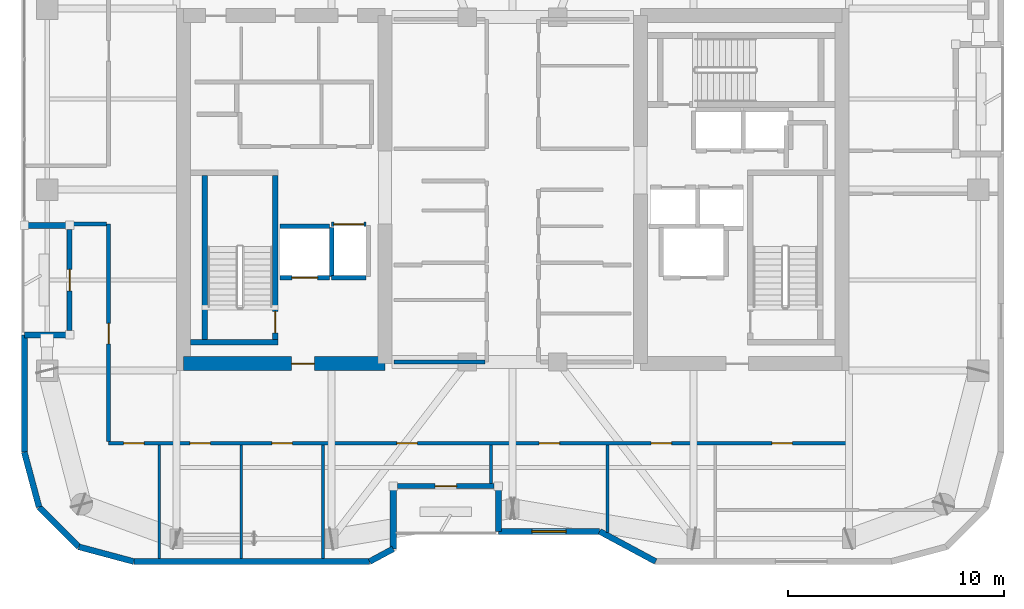
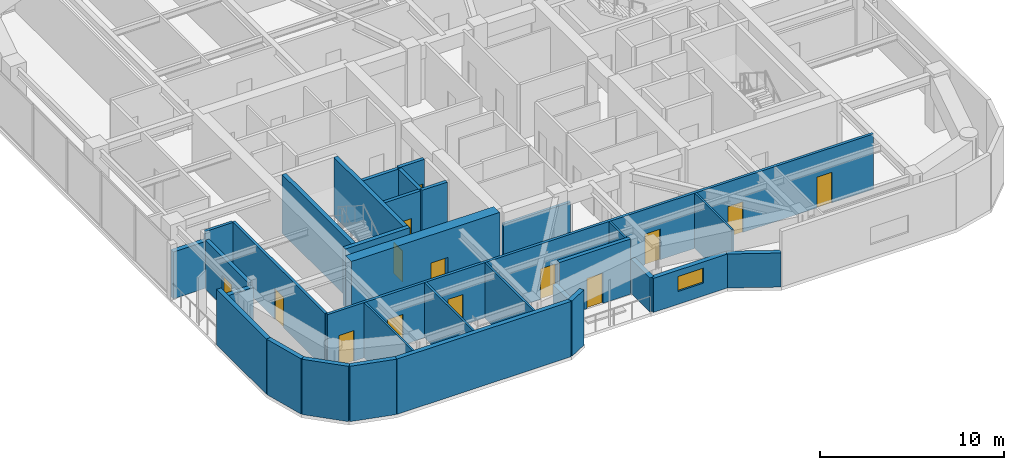
# One storey, part 15 of 22: 32 walls, 14 doors, 1 window, 15 openings.
"""IFC4 building model written with IfcOpenShell, lengths in metres."""

from ifc_helpers import new_model, si_unit, direction, frame, frame_2d, origin, place, context, subcontext, project, spatial, rectangle, extrude, material, layer, layer_set, type_object, element, fill, save


model = new_model("IFC4")

# Units and contexts
model_context = context("Model", 3, precision=1e-05, world=origin(), true_north=direction((0.0, 1.0)))
body_context = subcontext(model_context, "Body", "Model", "MODEL_VIEW")
ifc_project = project(units=[si_unit("LENGTHUNIT", "METRE"), si_unit("AREAUNIT", "SQUARE_METRE"), si_unit("VOLUMEUNIT", "CUBIC_METRE"), si_unit("PLANEANGLEUNIT", "RADIAN"), si_unit("MASSUNIT", "GRAM", prefix="KILO")], contexts=[model_context])

# Site, building, storey
site_placement = place(None, origin())
site = spatial("IfcSite", under=ifc_project, at=site_placement, CompositionType="ELEMENT")
building_placement = place(site_placement, origin())
building = spatial("IfcBuilding", under=site, at=building_placement, Name="Kiyonajd Concourse Tower", CompositionType="ELEMENT")
storey_placement = place(building_placement, frame((0.0, 0.0, 243.300048828125)))
storey = spatial("IfcBuildingStorey", under=building, at=storey_placement, Name="L61", CompositionType="ELEMENT", Elevation=243.300048828125)

# Wall, opening, door
ifc_material_1 = material(Name="Concrete C60/75", Category="concrete")
ifc_layer_1 = layer(ifc_material_1, 0.64990234375)
ifc_layer_set_1 = layer_set([ifc_layer_1], Name="Concrete C60/75")
wall_type_1 = type_object("IfcWallType", Name="WL-CORE-650", PredefinedType="SHEAR", material=ifc_layer_set_1)
wall_1_placement = place(storey_placement, frame((32.72509765625, 27.925048828125, 0.0), z_axis=(0.0, 0.0, 1.0), x_axis=(1.0, 0.0, 0.0)))
wall_1 = element("IfcWall", 1, at=wall_1_placement, inside=storey, type_object=wall_type_1, Name="L61 West Core South Shear Wall", PredefinedType="SHEAR", context=body_context, shape_type="SweptSolid", body=[
    extrude(rectangle(XDim=9.349853515625, YDim=0.64990234375, at=frame_2d((4.6748046875, 0.0))), origin(), (0.0, 0.0, 1.0), 3.89990234375),
])
opening_1_placement = place(wall_1_placement, frame((5.02490234375, 0.0, 0.0)))
opening_1 = element("IfcOpeningElement", 2, at=opening_1_placement, cuts=wall_1, Name="Opening DF5", PredefinedType="OPENING", context=body_context, shape_type="SweptSolid", body=[
    extrude(rectangle(XDim=1.050048828125, YDim=2.0400390625, at=frame_2d((0.52490234375, 1.02001953125))), frame((0.0, 0.3349609375, 0.0), z_axis=(0.0, -1.0, 0.0), x_axis=(1.0, 0.0, 0.0)), (0.0, 0.0, 1.0), 0.669921875),
])
ifc_material_2 = material(Name="Brushed Stainless Steel Cab Assembly", Category="steel")
door_type_1 = type_object("IfcDoorType", Name="DR-FD45-1050", OperationType="NOTDEFINED", PredefinedType="DOOR", material=ifc_material_2)
door_1_placement = place(opening_1_placement, origin())
door_1 = element("IfcDoor", 3, at=door_1_placement, inside=storey, type_object=door_type_1, Name="L61 Firefighting Lift Lobby W Smoke Door", OperationType="SINGLE_SWING_LEFT", OverallHeight=2.0400390625, OverallWidth=1.050048828125, PredefinedType="DOOR", context=body_context, shape_type="SweptSolid", body=[
    extrude(rectangle(XDim=1.050048828125, YDim=2.0400390625, at=frame_2d((0.52490234375, 1.02001953125))), frame((0.0, 0.02490234375, 0.0), z_axis=(0.0, -1.0, 0.0), x_axis=(1.0, 0.0, 0.0)), (0.0, 0.0, 1.0), 0.050048828125),
])
fill(opening_1, door_1)

# Walls
ifc_material_3 = material(Name="Precast concrete C50/60", Category="concrete")
ifc_layer_2 = layer(ifc_material_3, 0.280029296875)
ifc_layer_set_2 = layer_set([ifc_layer_2], Name="Precast concrete C50/60")
wall_type_2 = type_object("IfcWallType", Name="WL-EXT-280", PredefinedType="SOLIDWALL", material=ifc_layer_set_2)
wall_2_placement = place(storey_placement, frame((26.0224609375, 21.2724609375, 0.0), z_axis=(0.0, 0.0, 1.0), x_axis=(-0.2588904131, 0.965906700466, 0.0)))
element("IfcWall", 4, at=wall_2_placement, inside=storey, type_object=wall_type_2, Name="L61 Exterior Concrete Frame Wall 00", PredefinedType="SOLIDWALL", context=body_context, shape_type="SweptSolid", body=[
    extrude(rectangle(XDim=2.6357421875, YDim=0.280029296875, at=frame_2d((1.31787109375, 0.0))), origin(), (0.0, 0.0, 1.0), 3.679931640625),
])
wall_3_placement = place(storey_placement, frame((25.340087890625, 23.818359375, 0.0), z_axis=(0.0, 0.0, 1.0), x_axis=(0.0, 1.0, 0.0)))
element("IfcWall", 5, at=wall_3_placement, inside=storey, type_object=wall_type_2, Name="L61 Exterior Concrete Frame Wall 01", PredefinedType="SOLIDWALL", context=body_context, shape_type="SweptSolid", body=[
    extrude(rectangle(XDim=5.441650390625, YDim=0.280029296875, at=frame_2d((2.720703125, 0.0))), origin(), (0.0, 0.0, 1.0), 3.679931640625),
])
for number, where, z_axis, x_axis, name in (
    (6, (25.340087890625, 29.260009765625, 0.0), (0.0, 0.0, 1.0), (1.0, 0.0, 0.0), "L61 Exterior Concrete Frame Wall 02"),
    (7, (27.43994140625, 34.340087890625, 0.0), (0.0, 0.0, 1.0), (-1.0, 0.0, 0.0), "L61 Exterior Concrete Frame Wall 04"),
):
    element("IfcWall", number, at=place(storey_placement, frame(where, z_axis=z_axis, x_axis=x_axis)), inside=storey, type_object=wall_type_2, Name=name, PredefinedType="SOLIDWALL", context=body_context, shape_type="SweptSolid", body=[
        extrude(rectangle(XDim=2.099853515625, YDim=0.280029296875, at=frame_2d((1.0498046875, 0.0))), origin(), (0.0, 0.0, 1.0), 3.115966796875),
    ])
wall_4_placement = place(storey_placement, frame((54.63525390625, 18.739990234375, 0.0), z_axis=(0.0, 0.0, 1.0), x_axis=(-0.880473754814, 0.474094892488, 0.0)))
element("IfcWall", 8, at=wall_4_placement, inside=storey, type_object=wall_type_2, Name="L61 Exterior Concrete Frame Wall 30", PredefinedType="SOLIDWALL", context=body_context, shape_type="SweptSolid", body=[
    extrude(rectangle(XDim=2.952880859375, YDim=0.280029296875, at=frame_2d((1.4765625, 0.0))), origin(), (0.0, 0.0, 1.0), 2.264892578125),
])

# Wall, opening, window
wall_5_placement = place(storey_placement, frame((52.035400390625, 20.139892578125, 0.0), z_axis=(0.0, 0.0, 1.0), x_axis=(-1.0, 0.0, 0.0)))
wall_5 = element("IfcWall", 9, at=wall_5_placement, inside=storey, type_object=wall_type_2, Name="L61 Exterior Concrete Frame Wall 31", PredefinedType="SOLIDWALL", context=body_context, shape_type="SweptSolid", body=[
    extrude(rectangle(XDim=4.6953125, YDim=0.280029296875, at=frame_2d((2.34765625, 0.0))), origin(), (0.0, 0.0, 1.0), 2.264892578125),
])
opening_2_placement = place(wall_5_placement, frame((1.548095703125, 0.0, 0.85009765625)))
opening_2 = element("IfcOpeningElement", 10, at=opening_2_placement, cuts=wall_5, Name="Opening WN6", PredefinedType="OPENING", context=body_context, shape_type="SweptSolid", body=[
    extrude(rectangle(XDim=1.60009765625, YDim=1.0, at=frame_2d((0.800048828125, 0.5))), frame((0.0, 0.14990234375, 0.0), z_axis=(0.0, -1.0, 0.0), x_axis=(1.0, 0.0, 0.0)), (0.0, 0.0, 1.0), 0.300048828125),
])
ifc_material_4 = material(Name="Double Low-E Insulated Glass", Category="glass")
window_type = type_object("IfcWindowType", Name="WN-VIS-1600x1000", PartitioningType="SINGLE_PANEL", PredefinedType="WINDOW", material=ifc_material_4)
window_placement = place(opening_2_placement, origin())
window = element("IfcWindow", 11, at=window_placement, inside=storey, type_object=window_type, Name="L61 Modular Facade Vision Window 31", OverallHeight=1.0, OverallWidth=1.60009765625, PartitioningType="SINGLE_PANEL", PredefinedType="WINDOW", context=body_context, shape_type="SweptSolid", body=[
    extrude(rectangle(XDim=1.60009765625, YDim=1.0, at=frame_2d((0.800048828125, 0.5))), frame((0.0, 0.030029296875, 0.0), z_axis=(0.0, -1.0, 0.0), x_axis=(1.0, 0.0, 0.0)), (0.0, 0.0, 1.0), 0.06005859375),
])
fill(opening_2, window)

# Walls
wall_6_placement = place(storey_placement, frame((47.340087890625, 20.139892578125, 0.0), z_axis=(0.0, 0.0, 1.0), x_axis=(0.0, 1.0, 0.0)))
element("IfcWall", 12, at=wall_6_placement, inside=storey, type_object=wall_type_2, Name="L61 Exterior Concrete Frame Wall 32", PredefinedType="SOLIDWALL", context=body_context, shape_type="SweptSolid", body=[
    extrude(rectangle(XDim=2.10009765625, YDim=0.280029296875, at=frame_2d((1.050048828125, 0.0))), origin(), (0.0, 0.0, 1.0), 2.264892578125),
])
wall_7_placement = place(storey_placement, frame((42.4599609375, 22.239990234375, 0.0), z_axis=(0.0, 0.0, 1.0), x_axis=(0.0, -1.0, 0.0)))
element("IfcWall", 13, at=wall_7_placement, inside=storey, type_object=wall_type_2, Name="L61 Exterior Concrete Frame Wall 34", PredefinedType="SOLIDWALL", context=body_context, shape_type="SweptSolid", body=[
    extrude(rectangle(XDim=2.910400390625, YDim=0.280029296875, at=frame_2d((1.455078125, 0.0))), origin(), (0.0, 0.0, 1.0), 2.264892578125),
])
wall_8_placement = place(storey_placement, frame((42.4599609375, 19.32958984375, 0.0), z_axis=(0.0, 0.0, 1.0), x_axis=(-0.880515214249, -0.474017887296, 0.0)))
element("IfcWall", 14, at=wall_8_placement, inside=storey, type_object=wall_type_2, Name="L61 Exterior Concrete Frame Wall 35", PredefinedType="SOLIDWALL", context=body_context, shape_type="SweptSolid", body=[
    extrude(rectangle(XDim=1.243896484375, YDim=0.280029296875, at=frame_2d((0.6220703125, 0.0))), origin(), (0.0, 0.0, 1.0), 3.679931640625),
])
wall_9_placement = place(storey_placement, frame((41.36474609375, 18.739990234375, 0.0), z_axis=(0.0, 0.0, 1.0), x_axis=(-1.0, 0.0, 0.0)))
element("IfcWall", 15, at=wall_9_placement, inside=storey, type_object=wall_type_2, Name="L61 Exterior Concrete Frame Wall 36", PredefinedType="SOLIDWALL", context=body_context, shape_type="SweptSolid", body=[
    extrude(rectangle(XDim=10.9462890625, YDim=0.280029296875, at=frame_2d((5.47314453125, 0.0))), origin(), (0.0, 0.0, 1.0), 3.679931640625),
])
wall_10_placement = place(storey_placement, frame((30.41845703125, 18.739990234375, 0.0), z_axis=(0.0, 0.0, 1.0), x_axis=(-0.965883534663, 0.258976828051, 0.0)))
element("IfcWall", 16, at=wall_10_placement, inside=storey, type_object=wall_type_2, Name="L61 Exterior Concrete Frame Wall 37", PredefinedType="SOLIDWALL", context=body_context, shape_type="SweptSolid", body=[
    extrude(rectangle(XDim=2.6357421875, YDim=0.280029296875, at=frame_2d((1.31787109375, 0.0))), origin(), (0.0, 0.0, 1.0), 3.679931640625),
])
wall_11_placement = place(storey_placement, frame((27.87255859375, 19.422607421875, 0.0), z_axis=(0.0, 0.0, 1.0), x_axis=(-0.707153437963, 0.707060121331, 0.0)))
element("IfcWall", 17, at=wall_11_placement, inside=storey, type_object=wall_type_2, Name="L61 Exterior Concrete Frame Wall 38", PredefinedType="SOLIDWALL", context=body_context, shape_type="SweptSolid", body=[
    extrude(rectangle(XDim=2.6162109375, YDim=0.280029296875, at=frame_2d((1.30810546875, 0.0))), origin(), (0.0, 0.0, 1.0), 3.679931640625),
])

# Wall, opening, door
ifc_layer_3 = layer(ifc_material_3, 0.239990234375)
ifc_layer_set_3 = layer_set([ifc_layer_3], Name="Precast concrete C50/60")
wall_type_3 = type_object("IfcWallType", Name="WL-LOG-240", PredefinedType="SOLIDWALL", material=ifc_layer_set_3)
wall_12_placement = place(storey_placement, frame((27.43994140625, 29.455078125, 0.0), z_axis=(0.0, 0.0, 1.0), x_axis=(0.0, 1.0, 0.0)))
wall_12 = element("IfcWall", 18, at=wall_12_placement, inside=storey, type_object=wall_type_3, Name="L61 Recessed Loggia Thermal Wall LOG-W", PredefinedType="SOLIDWALL", context=body_context, shape_type="SweptSolid", body=[
    extrude(rectangle(XDim=4.68994140625, YDim=0.239990234375, at=frame_2d((2.344970703125, 0.0))), origin(), (0.0, 0.0, 1.0), 3.248046875),
])
opening_3_placement = place(wall_12_placement, frame((1.844970703125, 0.0, 0.0)))
opening_3 = element("IfcOpeningElement", 19, at=opening_3_placement, cuts=wall_12, Name="Opening DL1", PredefinedType="OPENING", context=body_context, shape_type="SweptSolid", body=[
    extrude(rectangle(XDim=1.0, YDim=2.02001953125, at=frame_2d((0.5, 1.010009765625))), frame((0.0, 0.1298828125, 0.0), z_axis=(0.0, -1.0, 0.0), x_axis=(1.0, 0.0, 0.0)), (0.0, 0.0, 1.0), 0.260009765625),
])
ifc_material_5 = material(Name="Thermally Broken Anodised Aluminium", Category="aluminium")
door_type_2 = type_object("IfcDoorType", Name="DR-LOG-1000", OperationType="NOTDEFINED", PredefinedType="DOOR", material=ifc_material_5)
door_2_placement = place(opening_3_placement, origin())
door_2 = element("IfcDoor", 20, at=door_2_placement, inside=storey, type_object=door_type_2, Name="L61 Engawa Loggia Access Door LOG-W", OperationType="SINGLE_SWING_RIGHT", OverallHeight=2.02001953125, OverallWidth=1.0, PredefinedType="DOOR", context=body_context, shape_type="SweptSolid", body=[
    extrude(rectangle(XDim=1.0, YDim=2.02001953125, at=frame_2d((0.5, 1.010009765625))), frame((0.0, 0.02490234375, 0.0), z_axis=(0.0, -1.0, 0.0), x_axis=(1.0, 0.0, 0.0)), (0.0, 0.0, 1.0), 0.050048828125),
])
fill(opening_3, door_2)

wall_13_placement = place(storey_placement, frame((47.14501953125, 22.239990234375, 0.0), z_axis=(0.0, 0.0, 1.0), x_axis=(-1.0, 0.0, 0.0)))
wall_13 = element("IfcWall", 21, at=wall_13_placement, inside=storey, type_object=wall_type_3, Name="L61 Recessed Loggia Thermal Wall LOG-S", PredefinedType="SOLIDWALL", context=body_context, shape_type="SweptSolid", body=[
    extrude(rectangle(XDim=4.489990234375, YDim=0.239990234375, at=frame_2d((2.2451171875, 0.0))), origin(), (0.0, 0.0, 1.0), 3.679931640625),
])
opening_4_placement = place(wall_13_placement, frame((1.7451171875, 0.0, 0.0)))
opening_4 = element("IfcOpeningElement", 22, at=opening_4_placement, cuts=wall_13, Name="Opening DL1", PredefinedType="OPENING", context=body_context, shape_type="SweptSolid", body=[
    extrude(rectangle(XDim=1.0, YDim=2.02001953125, at=frame_2d((0.5, 1.010009765625))), frame((0.0, 0.1298828125, 0.0), z_axis=(0.0, -1.0, 0.0), x_axis=(1.0, 0.0, 0.0)), (0.0, 0.0, 1.0), 0.260009765625),
])
door_3_placement = place(opening_4_placement, origin())
door_3 = element("IfcDoor", 23, at=door_3_placement, inside=storey, type_object=door_type_2, Name="L61 Engawa Loggia Access Door LOG-S", OperationType="SINGLE_SWING_RIGHT", OverallHeight=2.02001953125, OverallWidth=1.0, PredefinedType="DOOR", context=body_context, shape_type="SweptSolid", body=[
    extrude(rectangle(XDim=1.0, YDim=2.02001953125, at=frame_2d((0.5, 1.010009765625))), frame((0.0, 0.02490234375, 0.0), z_axis=(0.0, -1.0, 0.0), x_axis=(1.0, 0.0, 0.0)), (0.0, 0.0, 1.0), 0.050048828125),
])
fill(opening_4, door_3)

# Walls
ifc_material_6 = material(Name="Gypsum Board on Cold-Formed Steel Stud", Category="steel")
ifc_layer_4 = layer(ifc_material_6, 0.125)
ifc_layer_set_4 = layer_set([ifc_layer_4], Name="Gypsum Board on Cold-Formed Steel Stud")
wall_type_4 = type_object("IfcWallType", Name="WL-PART-125", PredefinedType="PARTITIONING", material=ifc_layer_set_4)
for number, where, z_axis, x_axis, name in (
    (24, (31.60009765625, 18.875, 0.0), (0.0, 0.0, 1.0), (0.0, 1.0, 0.0), "L61 Interior Partition Wall"),
    (25, (35.39990234375, 18.875, 0.0), (0.0, 0.0, 1.0), (0.0, 1.0, 0.0), "L61 Interior Partition Wall"),
    (26, (39.199951171875, 18.875, 0.0), (0.0, 0.0, 1.0), (0.0, 1.0, 0.0), "L61 Interior Partition Wall"),
):
    element("IfcWall", number, at=place(storey_placement, frame(where, z_axis=z_axis, x_axis=x_axis)), inside=storey, type_object=wall_type_4, Name=name, PredefinedType="PARTITIONING", context=body_context, shape_type="SweptSolid", body=[
        extrude(rectangle(XDim=5.26806640625, YDim=0.125, at=frame_2d((2.634033203125, 0.0))), origin(), (0.0, 0.0, 1.0), 3.679931640625),
    ])
wall_14_placement = place(storey_placement, frame((47.0, 22.35498046875, 0.0), z_axis=(0.0, 0.0, 1.0), x_axis=(0.0, 1.0, 0.0)))
element("IfcWall", 27, at=wall_14_placement, inside=storey, type_object=wall_type_4, Name="L61 Interior Partition Wall", PredefinedType="PARTITIONING", context=body_context, shape_type="SweptSolid", body=[
    extrude(rectangle(XDim=1.7880859375, YDim=0.125, at=frame_2d((0.89404296875, 0.0))), origin(), (0.0, 0.0, 1.0), 3.679931640625),
])
wall_15_placement = place(storey_placement, frame((52.39990234375, 20.09912109375, 0.0), z_axis=(0.0, 0.0, 1.0), x_axis=(0.0, 1.0, 0.0)))
element("IfcWall", 28, at=wall_15_placement, inside=storey, type_object=wall_type_4, Name="L61 Interior Partition Wall", PredefinedType="PARTITIONING", context=body_context, shape_type="SweptSolid", body=[
    extrude(rectangle(XDim=4.0439453125, YDim=0.125, at=frame_2d((2.02197265625, 0.0))), origin(), (0.0, 0.0, 1.0), 3.679931640625),
])

# Wall, opening, door
ifc_layer_5 = layer(ifc_material_6, 0.2099609375)
ifc_layer_set_5 = layer_set([ifc_layer_5], Name="Gypsum Board on Cold-Formed Steel Stud")
wall_type_5 = type_object("IfcWallType", Name="WL-SHAFT-210", PredefinedType="PARTITIONING", material=ifc_layer_set_5)
wall_16_placement = place(storey_placement, frame((37.199951171875, 31.89990234375, 0.0), z_axis=(0.0, 0.0, 1.0), x_axis=(1.0, 0.0, 0.0)))
wall_16 = element("IfcWall", 29, at=wall_16_placement, inside=storey, type_object=wall_type_5, Name="L61 Shaft Enclosure Wall", PredefinedType="PARTITIONING", context=body_context, shape_type="SweptSolid", body=[
    extrude(rectangle(XDim=2.300048828125, YDim=0.2099609375, at=frame_2d((1.14990234375, 0.0))), origin(), (0.0, 0.0, 1.0), 3.679931640625),
])
opening_5_placement = place(wall_16_placement, frame((0.550048828125, 0.0, 0.0)))
opening_5 = element("IfcOpeningElement", 30, at=opening_5_placement, cuts=wall_16, Name="Opening LD2", PredefinedType="OPENING", context=body_context, shape_type="SweptSolid", body=[
    extrude(rectangle(XDim=1.199951171875, YDim=2.0400390625, at=frame_2d((0.60009765625, 1.02001953125))), frame((0.0, 0.114990234375, 0.0), z_axis=(0.0, -1.0, 0.0), x_axis=(1.0, 0.0, 0.0)), (0.0, 0.0, 1.0), 0.22998046875),
])
door_type_3 = type_object("IfcDoorType", Name="DR-LD-1200", OperationType="DOUBLE_DOOR_SLIDING", PredefinedType="DOOR", material=ifc_material_2)
door_4_placement = place(opening_5_placement, origin())
door_4 = element("IfcDoor", 31, at=door_4_placement, inside=storey, type_object=door_type_3, Name="L61 Lift FFL1 Sliding Landing Door", OperationType="DOUBLE_DOOR_SLIDING", OverallHeight=2.0400390625, OverallWidth=1.199951171875, PredefinedType="DOOR", context=body_context, shape_type="SweptSolid", body=[
    extrude(rectangle(XDim=1.199951171875, YDim=2.0400390625, at=frame_2d((0.60009765625, 1.02001953125))), frame((0.0, 0.02490234375, 0.0), z_axis=(0.0, -1.0, 0.0), x_axis=(1.0, 0.0, 0.0)), (0.0, 0.0, 1.0), 0.050048828125),
])
fill(opening_5, door_4)

# Walls
wall_17_placement = place(storey_placement, frame((37.199951171875, 34.300048828125, 0.0), z_axis=(0.0, 0.0, 1.0), x_axis=(1.0, 0.0, 0.0)))
element("IfcWall", 32, at=wall_17_placement, inside=storey, type_object=wall_type_5, Name="L61 Shaft Enclosure Wall", PredefinedType="PARTITIONING", context=body_context, shape_type="SweptSolid", body=[
    extrude(rectangle(XDim=2.300048828125, YDim=0.2099609375, at=frame_2d((1.14990234375, 0.0))), origin(), (0.0, 0.0, 1.0), 3.679931640625),
])
wall_18_placement = place(storey_placement, frame((39.60009765625, 31.9599609375, 0.0), z_axis=(0.0, 0.0, 1.0), x_axis=(0.0, 1.0, 0.0)))
element("IfcWall", 33, at=wall_18_placement, inside=storey, type_object=wall_type_5, Name="L61 Shaft Enclosure Wall", PredefinedType="PARTITIONING", context=body_context, shape_type="SweptSolid", body=[
    extrude(rectangle(XDim=2.280029296875, YDim=0.2099609375, at=frame_2d((1.14013671875, 0.0))), origin(), (0.0, 0.0, 1.0), 3.679931640625),
])

# Wall, opening, door
wall_19_placement = place(storey_placement, frame((39.60009765625, 34.39990234375, 0.0), z_axis=(0.0, 0.0, 1.0), x_axis=(1.0, 0.0, 0.0)))
wall_19 = element("IfcWall", 34, at=wall_19_placement, inside=storey, type_object=wall_type_5, Name="L61 Shaft Enclosure Wall", PredefinedType="PARTITIONING", context=body_context, shape_type="SweptSolid", body=[
    extrude(rectangle(XDim=1.599853515625, YDim=0.2099609375, at=frame_2d((0.7998046875, 0.0))), origin(), (0.0, 0.0, 1.0), 3.679931640625),
])
opening_6_placement = place(wall_19_placement, frame((0.10009765625, 0.0, 0.0)))
opening_6 = element("IfcOpeningElement", 35, at=opening_6_placement, cuts=wall_19, Name="Opening LD3", PredefinedType="OPENING", context=body_context, shape_type="SweptSolid", body=[
    extrude(rectangle(XDim=1.39990234375, YDim=2.06005859375, at=frame_2d((0.699951171875, 1.030029296875))), frame((0.0, 0.114990234375, 0.0), z_axis=(0.0, -1.0, 0.0), x_axis=(1.0, 0.0, 0.0)), (0.0, 0.0, 1.0), 0.22998046875),
])
door_type_4 = type_object("IfcDoorType", Name="DR-LD-1400", OperationType="DOUBLE_DOOR_SLIDING", PredefinedType="DOOR", material=ifc_material_2)
door_5_placement = place(opening_6_placement, origin())
door_5 = element("IfcDoor", 36, at=door_5_placement, inside=storey, type_object=door_type_4, Name="L61 Lift SVL1 Sliding Landing Door", OperationType="DOUBLE_DOOR_SLIDING", OverallHeight=2.06005859375, OverallWidth=1.39990234375, PredefinedType="DOOR", context=body_context, shape_type="SweptSolid", body=[
    extrude(rectangle(XDim=1.39990234375, YDim=2.06005859375, at=frame_2d((0.699951171875, 1.030029296875))), frame((0.0, 0.02490234375, 0.0), z_axis=(0.0, -1.0, 0.0), x_axis=(1.0, 0.0, 0.0)), (0.0, 0.0, 1.0), 0.050048828125),
])
fill(opening_6, door_5)

# Walls
wall_20_placement = place(storey_placement, frame((39.60009765625, 31.89990234375, 0.0), z_axis=(0.0, 0.0, 1.0), x_axis=(1.0, 0.0, 0.0)))
element("IfcWall", 37, at=wall_20_placement, inside=storey, type_object=wall_type_5, Name="L61 Shaft Enclosure Wall", PredefinedType="PARTITIONING", context=body_context, shape_type="SweptSolid", body=[
    extrude(rectangle(XDim=1.599853515625, YDim=0.2099609375, at=frame_2d((0.7998046875, 0.0))), origin(), (0.0, 0.0, 1.0), 3.679931640625),
])
ifc_layer_6 = layer(ifc_material_6, 0.169921875)
ifc_layer_set_6 = layer_set([ifc_layer_6], Name="Gypsum Board on Cold-Formed Steel Stud")
wall_type_6 = type_object("IfcWallType", Name="WL-SMK-170", PredefinedType="PARTITIONING", material=ifc_layer_set_6)
wall_21_placement = place(storey_placement, frame((42.5, 28.0, 0.0), z_axis=(0.0, 0.0, 1.0), x_axis=(1.0, 0.0, 0.0)))
element("IfcWall", 38, at=wall_21_placement, inside=storey, type_object=wall_type_6, Name="L61 Interior Partition Wall", PredefinedType="PARTITIONING", context=body_context, shape_type="SweptSolid", body=[
    extrude(rectangle(XDim=4.212890625, YDim=0.169921875, at=frame_2d((2.1064453125, 0.0))), origin(), (0.0, 0.0, 1.0), 2.764892578125),
])

# Wall, openings, doors
wall_22_placement = place(storey_placement, frame((29.25, 24.22998046875, 0.0), z_axis=(0.0, 0.0, 1.0), x_axis=(1.0, 0.0, 0.0)))
wall_22 = element("IfcWall", 39, at=wall_22_placement, inside=storey, type_object=wall_type_6, Name="L61 Interior Partition Wall", PredefinedType="PARTITIONING", context=body_context, shape_type="SweptSolid", body=[
    extrude(rectangle(XDim=34.35009765625, YDim=0.169921875, at=frame_2d((17.175048828125, 0.0))), origin(), (0.0, 0.0, 1.0), 3.679931640625),
])
opening_7_placement = place(wall_22_placement, frame((0.699951171875, 0.0, 0.0)))
opening_7 = element("IfcOpeningElement", 40, at=opening_7_placement, cuts=wall_22, Name="Opening DI1", PredefinedType="OPENING", context=body_context, shape_type="SweptSolid", body=[
    extrude(rectangle(XDim=0.949951171875, YDim=2.0400390625, at=frame_2d((0.47509765625, 1.02001953125))), frame((0.0, 0.094970703125, 0.0), z_axis=(0.0, -1.0, 0.0), x_axis=(1.0, 0.0, 0.0)), (0.0, 0.0, 1.0), 0.18994140625),
])
opening_8_placement = place(wall_22_placement, frame((3.77490234375, 0.0, 0.0)))
opening_8 = element("IfcOpeningElement", 41, at=opening_8_placement, cuts=wall_22, Name="Opening DI1", PredefinedType="OPENING", context=body_context, shape_type="SweptSolid", body=[
    extrude(rectangle(XDim=0.949951171875, YDim=2.0400390625, at=frame_2d((0.47509765625, 1.02001953125))), frame((0.0, 0.094970703125, 0.0), z_axis=(0.0, -1.0, 0.0), x_axis=(1.0, 0.0, 0.0)), (0.0, 0.0, 1.0), 0.18994140625),
])
opening_9_placement = place(wall_22_placement, frame((7.574951171875, 0.0, 0.0)))
opening_9 = element("IfcOpeningElement", 42, at=opening_9_placement, cuts=wall_22, Name="Opening DI1", PredefinedType="OPENING", context=body_context, shape_type="SweptSolid", body=[
    extrude(rectangle(XDim=0.949951171875, YDim=2.0400390625, at=frame_2d((0.47509765625, 1.02001953125))), frame((0.0, 0.094970703125, 0.0), z_axis=(0.0, -1.0, 0.0), x_axis=(1.0, 0.0, 0.0)), (0.0, 0.0, 1.0), 0.18994140625),
])
opening_10_placement = place(wall_22_placement, frame((13.375, 0.0, 0.0)))
opening_10 = element("IfcOpeningElement", 43, at=opening_10_placement, cuts=wall_22, Name="Opening DI1", PredefinedType="OPENING", context=body_context, shape_type="SweptSolid", body=[
    extrude(rectangle(XDim=0.949951171875, YDim=2.0400390625, at=frame_2d((0.47509765625, 1.02001953125))), frame((0.0, 0.094970703125, 0.0), z_axis=(0.0, -1.0, 0.0), x_axis=(1.0, 0.0, 0.0)), (0.0, 0.0, 1.0), 0.18994140625),
])
opening_11_placement = place(wall_22_placement, frame((19.97509765625, 0.0, 0.0)))
opening_11 = element("IfcOpeningElement", 44, at=opening_11_placement, cuts=wall_22, Name="Opening DI1", PredefinedType="OPENING", context=body_context, shape_type="SweptSolid", body=[
    extrude(rectangle(XDim=0.949951171875, YDim=2.0400390625, at=frame_2d((0.47509765625, 1.02001953125))), frame((0.0, 0.094970703125, 0.0), z_axis=(0.0, -1.0, 0.0), x_axis=(1.0, 0.0, 0.0)), (0.0, 0.0, 1.0), 0.18994140625),
])
opening_12_placement = place(wall_22_placement, frame((25.175048828125, 0.0, 0.0)))
opening_12 = element("IfcOpeningElement", 45, at=opening_12_placement, cuts=wall_22, Name="Opening DI1", PredefinedType="OPENING", context=body_context, shape_type="SweptSolid", body=[
    extrude(rectangle(XDim=0.949951171875, YDim=2.0400390625, at=frame_2d((0.47509765625, 1.02001953125))), frame((0.0, 0.094970703125, 0.0), z_axis=(0.0, -1.0, 0.0), x_axis=(1.0, 0.0, 0.0)), (0.0, 0.0, 1.0), 0.18994140625),
])
opening_13_placement = place(wall_22_placement, frame((30.77490234375, 0.0, 0.0)))
opening_13 = element("IfcOpeningElement", 46, at=opening_13_placement, cuts=wall_22, Name="Opening DI1", PredefinedType="OPENING", context=body_context, shape_type="SweptSolid", body=[
    extrude(rectangle(XDim=0.949951171875, YDim=2.0400390625, at=frame_2d((0.47509765625, 1.02001953125))), frame((0.0, 0.094970703125, 0.0), z_axis=(0.0, -1.0, 0.0), x_axis=(1.0, 0.0, 0.0)), (0.0, 0.0, 1.0), 0.18994140625),
])
ifc_material_7 = material(Name="Natural Oak Acoustic Timber Veneer", Category="wood")
door_type_5 = type_object("IfcDoorType", Name="DR-INT-950", OperationType="NOTDEFINED", PredefinedType="DOOR", material=ifc_material_7)
door_6_placement = place(opening_7_placement, origin())
door_6 = element("IfcDoor", 47, at=door_6_placement, inside=storey, type_object=door_type_5, Name="L61 Interior Door", OperationType="SINGLE_SWING_LEFT", OverallHeight=2.0400390625, OverallWidth=0.949951171875, PredefinedType="DOOR", context=body_context, shape_type="SweptSolid", body=[
    extrude(rectangle(XDim=0.949951171875, YDim=2.0400390625, at=frame_2d((0.47509765625, 1.02001953125))), frame((0.0, 0.02490234375, 0.0), z_axis=(0.0, -1.0, 0.0), x_axis=(1.0, 0.0, 0.0)), (0.0, 0.0, 1.0), 0.050048828125),
])
fill(opening_7, door_6)
door_7_placement = place(opening_8_placement, origin())
door_7 = element("IfcDoor", 48, at=door_7_placement, inside=storey, type_object=door_type_5, Name="L61 Interior Door", OperationType="SINGLE_SWING_RIGHT", OverallHeight=2.0400390625, OverallWidth=0.949951171875, PredefinedType="DOOR", context=body_context, shape_type="SweptSolid", body=[
    extrude(rectangle(XDim=0.949951171875, YDim=2.0400390625, at=frame_2d((0.47509765625, 1.02001953125))), frame((0.0, 0.02490234375, 0.0), z_axis=(0.0, -1.0, 0.0), x_axis=(1.0, 0.0, 0.0)), (0.0, 0.0, 1.0), 0.050048828125),
])
fill(opening_8, door_7)
door_8_placement = place(opening_9_placement, origin())
door_8 = element("IfcDoor", 49, at=door_8_placement, inside=storey, type_object=door_type_5, Name="L61 Interior Door", OperationType="SINGLE_SWING_LEFT", OverallHeight=2.0400390625, OverallWidth=0.949951171875, PredefinedType="DOOR", context=body_context, shape_type="SweptSolid", body=[
    extrude(rectangle(XDim=0.949951171875, YDim=2.0400390625, at=frame_2d((0.47509765625, 1.02001953125))), frame((0.0, 0.02490234375, 0.0), z_axis=(0.0, -1.0, 0.0), x_axis=(1.0, 0.0, 0.0)), (0.0, 0.0, 1.0), 0.050048828125),
])
fill(opening_9, door_8)
door_9_placement = place(opening_10_placement, origin())
door_9 = element("IfcDoor", 50, at=door_9_placement, inside=storey, type_object=door_type_5, Name="L61 Interior Door", OperationType="SINGLE_SWING_RIGHT", OverallHeight=2.0400390625, OverallWidth=0.949951171875, PredefinedType="DOOR", context=body_context, shape_type="SweptSolid", body=[
    extrude(rectangle(XDim=0.949951171875, YDim=2.0400390625, at=frame_2d((0.47509765625, 1.02001953125))), frame((0.0, 0.02490234375, 0.0), z_axis=(0.0, -1.0, 0.0), x_axis=(1.0, 0.0, 0.0)), (0.0, 0.0, 1.0), 0.050048828125),
])
fill(opening_10, door_9)
door_10_placement = place(opening_11_placement, origin())
door_10 = element("IfcDoor", 51, at=door_10_placement, inside=storey, type_object=door_type_5, Name="L61 Interior Door", OperationType="SINGLE_SWING_LEFT", OverallHeight=2.0400390625, OverallWidth=0.949951171875, PredefinedType="DOOR", context=body_context, shape_type="SweptSolid", body=[
    extrude(rectangle(XDim=0.949951171875, YDim=2.0400390625, at=frame_2d((0.47509765625, 1.02001953125))), frame((0.0, 0.02490234375, 0.0), z_axis=(0.0, -1.0, 0.0), x_axis=(1.0, 0.0, 0.0)), (0.0, 0.0, 1.0), 0.050048828125),
])
fill(opening_11, door_10)
door_11_placement = place(opening_12_placement, origin())
door_11 = element("IfcDoor", 52, at=door_11_placement, inside=storey, type_object=door_type_5, Name="L61 Interior Door", OperationType="SINGLE_SWING_RIGHT", OverallHeight=2.0400390625, OverallWidth=0.949951171875, PredefinedType="DOOR", context=body_context, shape_type="SweptSolid", body=[
    extrude(rectangle(XDim=0.949951171875, YDim=2.0400390625, at=frame_2d((0.47509765625, 1.02001953125))), frame((0.0, 0.02490234375, 0.0), z_axis=(0.0, -1.0, 0.0), x_axis=(1.0, 0.0, 0.0)), (0.0, 0.0, 1.0), 0.050048828125),
])
fill(opening_12, door_11)
door_12_placement = place(opening_13_placement, origin())
door_12 = element("IfcDoor", 53, at=door_12_placement, inside=storey, type_object=door_type_5, Name="L61 Interior Door", OperationType="SINGLE_SWING_RIGHT", OverallHeight=2.0400390625, OverallWidth=0.949951171875, PredefinedType="DOOR", context=body_context, shape_type="SweptSolid", body=[
    extrude(rectangle(XDim=0.949951171875, YDim=2.0400390625, at=frame_2d((0.47509765625, 1.02001953125))), frame((0.0, 0.02490234375, 0.0), z_axis=(0.0, -1.0, 0.0), x_axis=(1.0, 0.0, 0.0)), (0.0, 0.0, 1.0), 0.050048828125),
])
fill(opening_13, door_12)

# Wall, opening, door
wall_23_placement = place(storey_placement, frame((29.25, 24.31689453125, 0.0), z_axis=(0.0, 0.0, 1.0), x_axis=(0.0, 1.0, 0.0)))
wall_23 = element("IfcWall", 54, at=wall_23_placement, inside=storey, type_object=wall_type_6, Name="L61 Interior Partition Wall", PredefinedType="PARTITIONING", context=body_context, shape_type="SweptSolid", body=[
    extrude(rectangle(XDim=10.0830078125, YDim=0.169921875, at=frame_2d((5.04150390625, 0.0))), origin(), (0.0, 0.0, 1.0), 3.679931640625),
])
opening_14_placement = place(wall_23_placement, frame((4.52294921875, 0.0, 0.0)))
opening_14 = element("IfcOpeningElement", 55, at=opening_14_placement, cuts=wall_23, Name="Opening DI1", PredefinedType="OPENING", context=body_context, shape_type="SweptSolid", body=[
    extrude(rectangle(XDim=0.949951171875, YDim=2.0400390625, at=frame_2d((0.47509765625, 1.02001953125))), frame((0.0, 0.094970703125, 0.0), z_axis=(0.0, -1.0, 0.0), x_axis=(1.0, 0.0, 0.0)), (0.0, 0.0, 1.0), 0.18994140625),
])
door_13_placement = place(opening_14_placement, origin())
door_13 = element("IfcDoor", 56, at=door_13_placement, inside=storey, type_object=door_type_5, Name="L61 Interior Door", OperationType="SINGLE_SWING_RIGHT", OverallHeight=2.0400390625, OverallWidth=0.949951171875, PredefinedType="DOOR", context=body_context, shape_type="SweptSolid", body=[
    extrude(rectangle(XDim=0.949951171875, YDim=2.0400390625, at=frame_2d((0.47509765625, 1.02001953125))), frame((0.0, 0.02490234375, 0.0), z_axis=(0.0, -1.0, 0.0), x_axis=(1.0, 0.0, 0.0)), (0.0, 0.0, 1.0), 0.050048828125),
])
fill(opening_14, door_13)

# Walls
wall_24_placement = place(storey_placement, frame((27.43994140625, 34.39990234375, 0.0), z_axis=(0.0, 0.0, 1.0), x_axis=(1.0, 0.0, 0.0)))
element("IfcWall", 57, at=wall_24_placement, inside=storey, type_object=wall_type_6, Name="L61 Interior Partition Wall", PredefinedType="PARTITIONING", context=body_context, shape_type="SweptSolid", body=[
    extrude(rectangle(XDim=1.72314453125, YDim=0.169921875, at=frame_2d((0.861572265625, 0.0))), origin(), (0.0, 0.0, 1.0), 3.679931640625),
])
ifc_material_8 = material(Name="Concrete C50/60", Category="concrete")
ifc_layer_7 = layer(ifc_material_8, 0.260009765625)
ifc_layer_set_7 = layer_set([ifc_layer_7], Name="Concrete C50/60")
wall_type_7 = type_object("IfcWallType", Name="WL-STAIR-260", PredefinedType="SHEAR", material=ifc_layer_set_7)
wall_25_placement = place(storey_placement, frame((33.050048828125, 28.919921875, 0.0), z_axis=(0.0, 0.0, 1.0), x_axis=(1.0, 0.0, 0.0)))
element("IfcWall", 58, at=wall_25_placement, inside=storey, type_object=wall_type_7, Name="L61 Stair ST1 Structural South Wall", PredefinedType="SHEAR", context=body_context, shape_type="SweptSolid", body=[
    extrude(rectangle(XDim=4.06005859375, YDim=0.260009765625, at=frame_2d((2.030029296875, 0.0))), origin(), (0.0, 0.0, 1.0), 3.89990234375),
])
wall_26_placement = place(storey_placement, frame((33.719970703125, 29.050048828125, 0.0), z_axis=(0.0, 0.0, 1.0), x_axis=(0.0, 1.0, 0.0)))
element("IfcWall", 59, at=wall_26_placement, inside=storey, type_object=wall_type_7, Name="L61 Stair ST1 Structural West Wall", PredefinedType="SHEAR", context=body_context, shape_type="SweptSolid", body=[
    extrude(rectangle(XDim=7.599853515625, YDim=0.260009765625, at=frame_2d((3.7998046875, 0.0))), origin(), (0.0, 0.0, 1.0), 3.89990234375),
])

# Wall, opening, door
wall_27_placement = place(storey_placement, frame((36.97998046875, 29.050048828125, 0.0), z_axis=(0.0, 0.0, 1.0), x_axis=(0.0, 1.0, 0.0)))
wall_27 = element("IfcWall", 60, at=wall_27_placement, inside=storey, type_object=wall_type_7, Name="L61 Stair ST1 Structural East Wall", PredefinedType="SHEAR", context=body_context, shape_type="SweptSolid", body=[
    extrude(rectangle(XDim=7.599853515625, YDim=0.260009765625, at=frame_2d((3.7998046875, 0.0))), origin(), (0.0, 0.0, 1.0), 3.89990234375),
])
opening_15_placement = place(wall_27_placement, frame((0.300048828125, 0.0, 0.0)))
opening_15 = element("IfcOpeningElement", 61, at=opening_15_placement, cuts=wall_27, Name="Opening DF1", PredefinedType="OPENING", context=body_context, shape_type="SweptSolid", body=[
    extrude(rectangle(XDim=1.0, YDim=2.0400390625, at=frame_2d((0.5, 1.02001953125))), frame((0.0, 0.139892578125, 0.0), z_axis=(0.0, -1.0, 0.0), x_axis=(1.0, 0.0, 0.0)), (0.0, 0.0, 1.0), 0.280029296875),
])
door_type_6 = type_object("IfcDoorType", Name="DR-FD90-1000", OperationType="NOTDEFINED", PredefinedType="DOOR", material=ifc_material_2)
door_14_placement = place(opening_15_placement, origin())
door_14 = element("IfcDoor", 62, at=door_14_placement, inside=storey, type_object=door_type_6, Name="L61 Stair ST1 FSAE Door", OperationType="SINGLE_SWING_LEFT", OverallHeight=2.0400390625, OverallWidth=1.0, PredefinedType="DOOR", context=body_context, shape_type="SweptSolid", body=[
    extrude(rectangle(XDim=1.0, YDim=2.0400390625, at=frame_2d((0.5, 1.02001953125))), frame((0.0, 0.02490234375, 0.0), z_axis=(0.0, -1.0, 0.0), x_axis=(1.0, 0.0, 0.0)), (0.0, 0.0, 1.0), 0.050048828125),
])
fill(opening_15, door_14)

save(model, "model.ifc")
